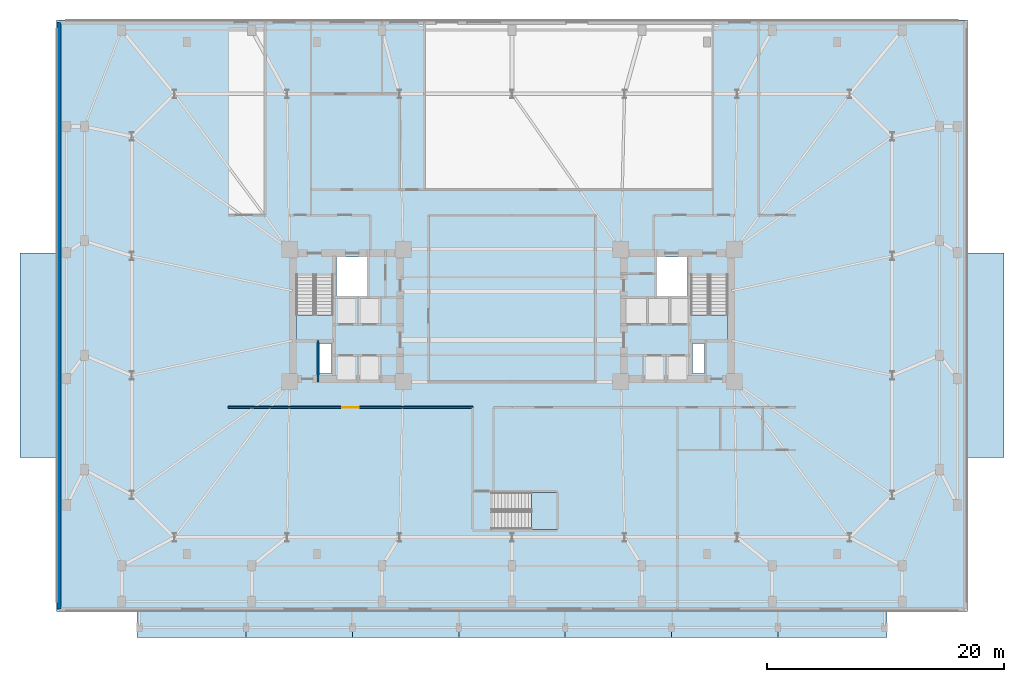
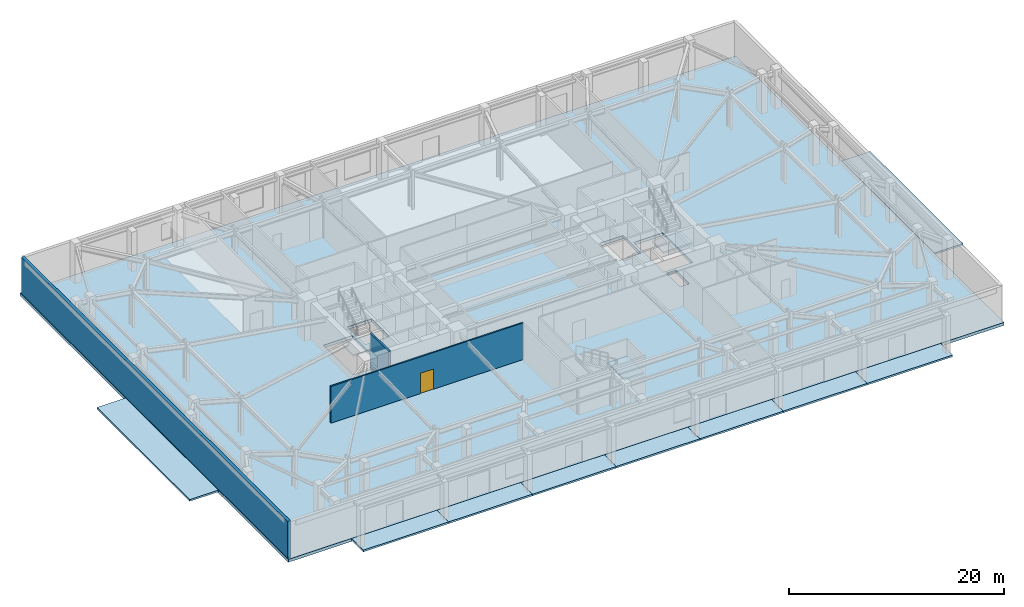
# One storey, part 7 of 18: 13 slabs, 3 walls, 1 door, 1 opening, 3 elements without a shape of their own.
"""IFC4 building model written with IfcOpenShell, lengths in metres."""

from ifc_helpers import new_model, si_unit, direction, frame, frame_2d, origin, place, context, subcontext, project, spatial, polyline, rectangle, outline, extrude, material, layer, layer_set, type_object, element, fill, aggregate, save


model = new_model("IFC4")

# Units and contexts
model_context = context("Model", 3, precision=1e-05, world=origin(), true_north=direction((0.0, 1.0)))
body_context = subcontext(model_context, "Body", "Model", "MODEL_VIEW")
ifc_project = project(units=[si_unit("LENGTHUNIT", "METRE"), si_unit("AREAUNIT", "SQUARE_METRE"), si_unit("VOLUMEUNIT", "CUBIC_METRE"), si_unit("PLANEANGLEUNIT", "RADIAN"), si_unit("MASSUNIT", "GRAM", prefix="KILO")], contexts=[model_context])

# Site, building, storey
site_placement = place(None, origin())
site = spatial("IfcSite", under=ifc_project, at=site_placement, CompositionType="ELEMENT")
building_placement = place(site_placement, origin())
building = spatial("IfcBuilding", under=site, at=building_placement, Name="Qobustan Lattice House", CompositionType="ELEMENT")
storey_placement = place(building_placement, origin())
storey = spatial("IfcBuildingStorey", under=building, at=storey_placement, Name="L00", CompositionType="ELEMENT", Elevation=0.0)

# Slab
ifc_material_1 = material(Name="Concrete C50/60", Category="concrete")
ifc_layer_1 = layer(ifc_material_1, 0.340087890625)
ifc_layer_set_1 = layer_set([ifc_layer_1], Name="Concrete C50/60")
slab_type_1 = type_object("IfcSlabType", Name="SLB-FLR-340", PredefinedType="FLOOR", material=ifc_layer_set_1)
slab_1_placement = place(storey_placement, frame((0.0, 0.0, -0.340087890625)))
element("IfcSlab", 1, at=slab_1_placement, inside=storey, type_object=slab_type_1, Name="L00 structural floor slab", PredefinedType="FLOOR", context=body_context, shape_type="SweptSolid", body=[
    extrude(outline(polyline([(-38.5, -25.0), (38.5, -25.0), (38.5, 25.0), (-38.5, 25.0), (-38.5, -25.0)]), holes=[polyline([(-18.25, -2.050048828125), (-18.25, 3.489990234375), (-15.1298828125, 3.489990234375), (-15.1298828125, -2.050048828125), (-18.25, -2.050048828125)]), polyline([(15.1298828125, -2.050048828125), (15.1298828125, 3.489990234375), (18.25, 3.489990234375), (18.25, -2.050048828125), (15.1298828125, -2.050048828125)]), polyline([(-14.820068359375, 1.64990234375), (-14.820068359375, 4.9599609375), (-12.25, 4.9599609375), (-12.25, 1.64990234375), (-14.820068359375, 1.64990234375)]), polyline([(12.25, 1.64990234375), (12.25, 4.9599609375), (14.820068359375, 4.9599609375), (14.820068359375, 1.64990234375), (12.25, 1.64990234375)]), polyline([(-16.260009765625, -4.8798828125), (-16.260009765625, -2.360107421875), (-15.260009765625, -2.360107421875), (-15.260009765625, -4.8798828125), (-16.260009765625, -4.8798828125)]), polyline([(15.260009765625, -4.8798828125), (15.260009765625, -2.360107421875), (16.260009765625, -2.360107421875), (16.260009765625, -4.8798828125), (15.260009765625, -4.8798828125)])]), origin(), (0.0, 0.0, 1.0), 0.340087890625),
])

# Stair, slab
ifc_material_2 = material(Name="Concrete C40/50", Category="concrete")
stair_type_1 = type_object("IfcStairType", Name="STR-CORE-DOGLEG", PredefinedType="HALF_TURN_STAIR", material=ifc_material_2)
stair_1_placement = place(storey_placement, origin())
stair_1 = element("IfcStair", 2, at=stair_1_placement, inside=storey, type_object=stair_type_1, Name="L00 West protected exit stair ST-W1", PredefinedType="HALF_TURN_STAIR")
ifc_material_3 = material(Name="Concrete C40/50", Category="concrete")
ifc_layer_2 = layer(ifc_material_3, 0.199951171875)
ifc_layer_set_2 = layer_set([ifc_layer_2], Name="Concrete C40/50")
slab_type_2 = type_object("IfcSlabType", Name="SLB-LANDING-200", PredefinedType="LANDING", material=ifc_layer_set_2)
slab_2_placement = place(storey_placement, frame((0.0, 0.0, 2.050048828125)))
slab_2 = element("IfcSlab", 3, at=slab_2_placement, type_object=slab_type_2, Name="ST-W1 landing 1", PredefinedType="LANDING", context=body_context, shape_type="SweptSolid", body=[
    extrude(outline(polyline([(-18.25, 0.080078125), (-18.25, -2.050048828125), (-15.1298828125, -2.050048828125), (-15.1298828125, 0.080078125), (-18.25, 0.080078125)])), origin(), (0.0, 0.0, 1.0), 0.199951171875),
])
aggregate(stair_1, [slab_2])

stair_2_placement = place(storey_placement, origin())
stair_2 = element("IfcStair", 4, at=stair_2_placement, inside=storey, type_object=stair_type_1, Name="L00 East protected exit stair ST-E1", PredefinedType="HALF_TURN_STAIR")
slab_3_placement = place(storey_placement, frame((0.0, 0.0, 2.050048828125)))
slab_3 = element("IfcSlab", 5, at=slab_3_placement, type_object=slab_type_2, Name="ST-E1 landing 1", PredefinedType="LANDING", context=body_context, shape_type="SweptSolid", body=[
    extrude(outline(polyline([(15.1298828125, 0.080078125), (15.1298828125, -2.050048828125), (18.25, -2.050048828125), (18.25, 0.080078125), (15.1298828125, 0.080078125)])), origin(), (0.0, 0.0, 1.0), 0.199951171875),
])
aggregate(stair_2, [slab_3])

ifc_material_4 = material(Name="Concrete C40/50", Category="concrete")
stair_type_2 = type_object("IfcStairType", Name="STR-POD-DOGLEG", PredefinedType="DOUBLE_RETURN_STAIR", material=ifc_material_4)
stair_3_placement = place(storey_placement, origin())
stair_3 = element("IfcStair", 6, at=stair_3_placement, inside=storey, type_object=stair_type_2, Name="L00 Podium garden exit stair ST-P1", PredefinedType="DOUBLE_RETURN_STAIR")
slab_4_placement = place(storey_placement, frame((0.0, 0.0, 2.050048828125)))
slab_4 = element("IfcSlab", 7, at=slab_4_placement, type_object=slab_type_2, Name="ST-P1 landing 1", PredefinedType="LANDING", context=body_context, shape_type="SweptSolid", body=[
    extrude(outline(polyline([(1.669921875, -18.06005859375), (3.800048828125, -18.06005859375), (3.800048828125, -14.93994140625), (1.669921875, -14.93994140625), (1.669921875, -18.06005859375)])), origin(), (0.0, 0.0, 1.0), 0.199951171875),
])
aggregate(stair_3, [slab_4])

# Slabs
ifc_material_5 = material(Name="Precast concrete C40/50", Category="concrete")
ifc_layer_3 = layer(ifc_material_5, 0.199951171875)
ifc_layer_set_3 = layer_set([ifc_layer_3], Name="Precast concrete C40/50")
slab_type_3 = type_object("IfcSlabType", Name="SLB-PAV-200", PredefinedType="USERDEFINED", material=ifc_layer_set_3)
slab_5_placement = place(storey_placement, frame((0.0, 0.0, -0.199951171875)))
element("IfcSlab", 8, at=slab_5_placement, inside=storey, type_object=slab_type_3, Name="L00 W arrival portico paving slab", ObjectType="PAVING", PredefinedType="USERDEFINED", context=body_context, shape_type="SweptSolid", body=[
    extrude(outline(polyline([(-41.60009765625, -12.0), (-38.52001953125, -12.0), (-38.52001953125, 5.300048828125), (-41.60009765625, 5.300048828125), (-41.60009765625, -12.0)])), origin(), (0.0, 0.0, 1.0), 0.199951171875),
])
slab_6_placement = place(storey_placement, frame((0.0, 0.0, -0.199951171875)))
element("IfcSlab", 9, at=slab_6_placement, inside=storey, type_object=slab_type_3, Name="L00 E arrival portico paving slab", ObjectType="PAVING", PredefinedType="USERDEFINED", context=body_context, shape_type="SweptSolid", body=[
    extrude(outline(polyline([(38.52001953125, -12.0), (41.60009765625, -12.0), (41.60009765625, 5.300048828125), (38.52001953125, 5.300048828125), (38.52001953125, -12.0)])), origin(), (0.0, 0.0, 1.0), 0.199951171875),
])
slab_7_placement = place(storey_placement, frame((0.0, 0.0, -0.199951171875)))
element("IfcSlab", 10, at=slab_7_placement, inside=storey, type_object=slab_type_3, Name="Street entrance plaza paving slab 1", ObjectType="PAVING", PredefinedType="USERDEFINED", context=body_context, shape_type="SweptSolid", body=[
    extrude(outline(polyline([(-31.699951171875, -27.199951171875), (-22.5, -27.199951171875), (-22.5, -25.0), (-31.699951171875, -25.0), (-31.699951171875, -27.199951171875)])), origin(), (0.0, 0.0, 1.0), 0.199951171875),
])
slab_8_placement = place(storey_placement, frame((0.0, 0.0, -0.199951171875)))
element("IfcSlab", 11, at=slab_8_placement, inside=storey, type_object=slab_type_3, Name="Street entrance plaza paving slab 2", ObjectType="PAVING", PredefinedType="USERDEFINED", context=body_context, shape_type="SweptSolid", body=[
    extrude(outline(polyline([(-22.5, -27.199951171875), (-13.5, -27.199951171875), (-13.5, -25.0), (-22.5, -25.0), (-22.5, -27.199951171875)])), origin(), (0.0, 0.0, 1.0), 0.199951171875),
])
slab_9_placement = place(storey_placement, frame((0.0, 0.0, -0.199951171875)))
element("IfcSlab", 12, at=slab_9_placement, inside=storey, type_object=slab_type_3, Name="Street entrance plaza paving slab 3", ObjectType="PAVING", PredefinedType="USERDEFINED", context=body_context, shape_type="SweptSolid", body=[
    extrude(outline(polyline([(-13.5, -27.199951171875), (-4.5, -27.199951171875), (-4.5, -25.0), (-13.5, -25.0), (-13.5, -27.199951171875)])), origin(), (0.0, 0.0, 1.0), 0.199951171875),
])
slab_10_placement = place(storey_placement, frame((0.0, 0.0, -0.199951171875)))
element("IfcSlab", 13, at=slab_10_placement, inside=storey, type_object=slab_type_3, Name="Street entrance plaza paving slab 4", ObjectType="PAVING", PredefinedType="USERDEFINED", context=body_context, shape_type="SweptSolid", body=[
    extrude(outline(polyline([(-4.5, -27.199951171875), (4.5, -27.199951171875), (4.5, -25.0), (-4.5, -25.0), (-4.5, -27.199951171875)])), origin(), (0.0, 0.0, 1.0), 0.199951171875),
])
slab_11_placement = place(storey_placement, frame((0.0, 0.0, -0.199951171875)))
element("IfcSlab", 14, at=slab_11_placement, inside=storey, type_object=slab_type_3, Name="Street entrance plaza paving slab 5", ObjectType="PAVING", PredefinedType="USERDEFINED", context=body_context, shape_type="SweptSolid", body=[
    extrude(outline(polyline([(4.5, -27.199951171875), (13.5, -27.199951171875), (13.5, -25.0), (4.5, -25.0), (4.5, -27.199951171875)])), origin(), (0.0, 0.0, 1.0), 0.199951171875),
])
slab_12_placement = place(storey_placement, frame((0.0, 0.0, -0.199951171875)))
element("IfcSlab", 15, at=slab_12_placement, inside=storey, type_object=slab_type_3, Name="Street entrance plaza paving slab 6", ObjectType="PAVING", PredefinedType="USERDEFINED", context=body_context, shape_type="SweptSolid", body=[
    extrude(outline(polyline([(13.5, -27.199951171875), (22.5, -27.199951171875), (22.5, -25.0), (13.5, -25.0), (13.5, -27.199951171875)])), origin(), (0.0, 0.0, 1.0), 0.199951171875),
])
slab_13_placement = place(storey_placement, frame((0.0, 0.0, -0.199951171875)))
element("IfcSlab", 16, at=slab_13_placement, inside=storey, type_object=slab_type_3, Name="Street entrance plaza paving slab 7", ObjectType="PAVING", PredefinedType="USERDEFINED", context=body_context, shape_type="SweptSolid", body=[
    extrude(outline(polyline([(22.5, -27.199951171875), (31.699951171875, -27.199951171875), (31.699951171875, -25.0), (22.5, -25.0), (22.5, -27.199951171875)])), origin(), (0.0, 0.0, 1.0), 0.199951171875),
])

# Wall
ifc_material_6 = material(Name="Precast concrete C40/50", Category="concrete")
ifc_layer_4 = layer(ifc_material_6, 0.320068359375)
ifc_layer_set_4 = layer_set([ifc_layer_4], Name="Precast concrete C40/50")
wall_type_1 = type_object("IfcWallType", Name="WAL-EXT-STONE-320", PredefinedType="SOLIDWALL", material=ifc_layer_set_4)
wall_1_placement = place(storey_placement, frame((-38.300048828125, -24.800048828125, 0.0), z_axis=(0.0, 0.0, 1.0), x_axis=(0.0, 1.0, 0.0)))
element("IfcWall", 17, at=wall_1_placement, inside=storey, type_object=wall_type_1, Name="L00 exterior limestone-clad wall 1", PredefinedType="SOLIDWALL", context=body_context, shape_type="SweptSolid", body=[
    extrude(rectangle(XDim=49.60009765625, YDim=0.320068359375, at=frame_2d((24.800048828125, 0.0))), origin(), (0.0, 0.0, 1.0), 4.169921875),
])

# Wall, opening, door
ifc_material_7 = material(Name="Acoustic twin-stud gypsum partition", Category="gypsum")
ifc_layer_5 = layer(ifc_material_7, 0.14990234375)
ifc_layer_set_5 = layer_set([ifc_layer_5], Name="Acoustic twin-stud gypsum partition")
wall_type_2 = type_object("IfcWallType", Name="WAL-PART-150", PredefinedType="PARTITIONING", material=ifc_layer_set_5)
wall_2_placement = place(storey_placement, frame((-3.320068359375, -7.75, 0.0), z_axis=(0.0, 0.0, 1.0), x_axis=(-1.0, 0.0, 0.0)))
wall_2 = element("IfcWall", 18, at=wall_2_placement, inside=storey, type_object=wall_type_2, Name="L00 interior partition 51", PredefinedType="PARTITIONING", context=body_context, shape_type="SweptSolid", body=[
    extrude(rectangle(XDim=20.679931640625, YDim=0.14990234375, at=frame_2d((10.33984375, 0.0))), origin(), (0.0, 0.0, 1.0), 4.169921875),
])
opening_placement = place(wall_2_placement, frame((9.639892578125, 0.0, 0.0)))
opening = element("IfcOpeningElement", 19, at=opening_placement, cuts=wall_2, Name="Opening ID-04", PredefinedType="OPENING", context=body_context, shape_type="SweptSolid", body=[
    extrude(rectangle(XDim=1.39990234375, YDim=2.300048828125, at=frame_2d((0.699951171875, 1.14990234375))), frame((0.0, 0.0849609375, 0.0), z_axis=(0.0, -1.0, 0.0), x_axis=(1.0, 0.0, 0.0)), (0.0, 0.0, 1.0), 0.169921875),
])
ifc_material_8 = material(Name="Persian walnut timber and steel frame door", Category="steel")
door_type = type_object("IfcDoorType", Name="DOR-POD-1400x2300", OperationType="NOTDEFINED", PredefinedType="DOOR", material=ifc_material_8)
door_placement = place(opening_placement, origin())
door = element("IfcDoor", 20, at=door_placement, inside=storey, type_object=door_type, Name="L00 South-west podium corridor to West entrance colonnade foyer door", OperationType="SINGLE_SWING_LEFT", OverallHeight=2.300048828125, OverallWidth=1.39990234375, PredefinedType="DOOR", context=body_context, shape_type="SweptSolid", body=[
    extrude(rectangle(XDim=1.39990234375, YDim=2.300048828125, at=frame_2d((0.699951171875, 1.14990234375))), frame((0.0, 0.02490234375, 0.0), z_axis=(0.0, -1.0, 0.0), x_axis=(1.0, 0.0, 0.0)), (0.0, 0.0, 1.0), 0.050048828125),
])
fill(opening, door)

# Wall
ifc_material_9 = material(Name="Concrete C40/50", Category="concrete")
ifc_layer_6 = layer(ifc_material_9, 0.199951171875)
ifc_layer_set_6 = layer_set([ifc_layer_6], Name="Concrete C40/50")
wall_type_3 = type_object("IfcWallType", Name="WAL-SHAFT-200", PredefinedType="PARTITIONING", material=ifc_layer_set_6)
wall_3_placement = place(storey_placement, frame((-16.39990234375, -5.60009765625, 0.0), z_axis=(0.0, 0.0, 1.0), x_axis=(0.0, 1.0, 0.0)))
element("IfcWall", 21, at=wall_3_placement, inside=storey, type_object=wall_type_3, Name="L00 interior partition 1", PredefinedType="PARTITIONING", context=body_context, shape_type="SweptSolid", body=[
    extrude(rectangle(XDim=3.489990234375, YDim=0.199951171875, at=frame_2d((1.7451171875, 0.0))), origin(), (0.0, 0.0, 1.0), 4.169921875),
])

save(model, "model.ifc")
